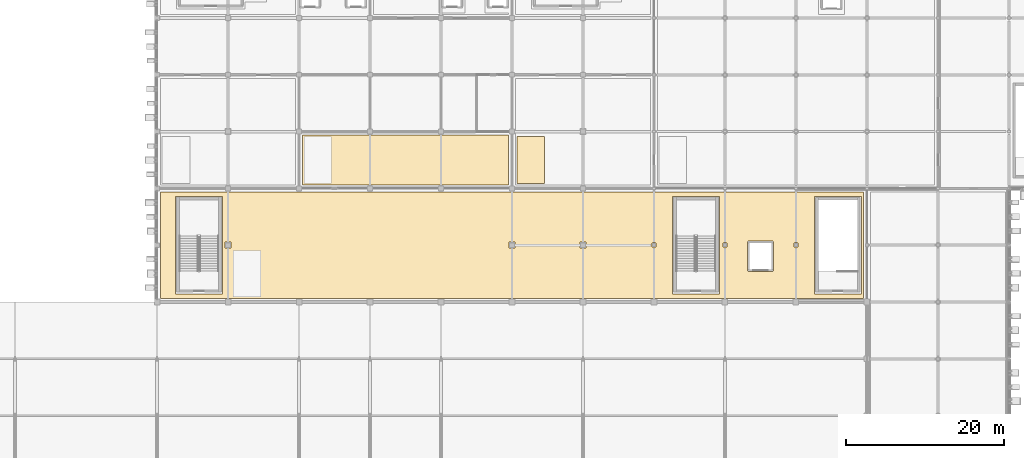
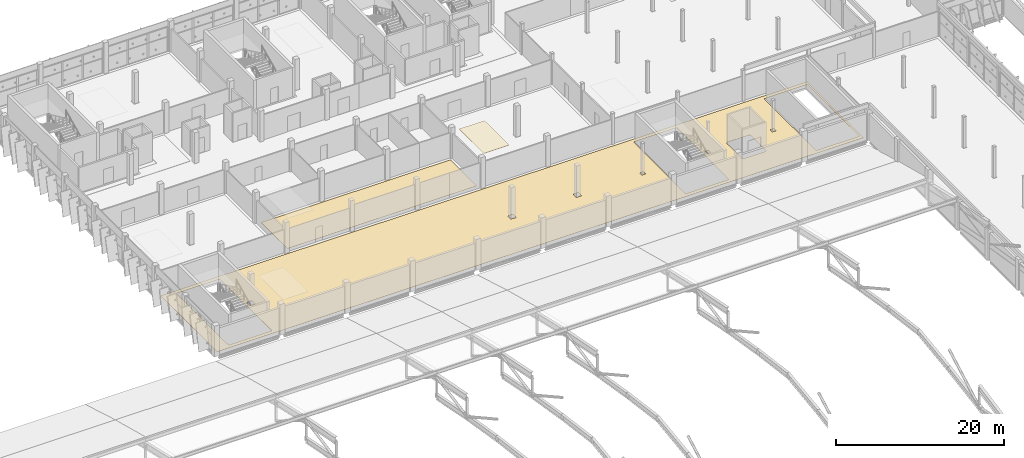
# One storey, part 115 of 124: 3 coverings.
"""IFC4 building model written with IfcOpenShell, lengths in metres."""

from ifc_helpers import new_model, si_unit, direction, frame, origin, place, context, subcontext, project, spatial, polyline, outline, extrude, material, layer, layer_set, type_object, element, save


model = new_model("IFC4")

# Units and contexts
model_context = context("Model", 3, precision=1e-05, world=origin(), true_north=direction((0.0, 1.0)))
body_context = subcontext(model_context, "Body", "Model", "MODEL_VIEW")
ifc_project = project(units=[si_unit("LENGTHUNIT", "METRE"), si_unit("AREAUNIT", "SQUARE_METRE"), si_unit("VOLUMEUNIT", "CUBIC_METRE"), si_unit("PLANEANGLEUNIT", "RADIAN"), si_unit("MASSUNIT", "GRAM", prefix="KILO")], contexts=[model_context])

# Site, building, storey
site_placement = place(None, origin())
site = spatial("IfcSite", under=ifc_project, at=site_placement, CompositionType="ELEMENT")
building_placement = place(site_placement, origin())
building = spatial("IfcBuilding", under=site, at=building_placement, Name="Celestram Park Convention Centre", CompositionType="ELEMENT")
storey_placement = place(building_placement, frame((0.0, 0.0, 15.300048828125)))
storey = spatial("IfcBuildingStorey", under=building, at=storey_placement, Name="L03", CompositionType="ELEMENT", Elevation=15.300048828125)

# Coverings
ifc_material_1 = material(Name="Perforated Acoustic Mineral-Fibre Baffle Ceiling", Category="gypsum")
ifc_layer_1 = layer(ifc_material_1, 0.0400390625)
ifc_layer_set_1 = layer_set([ifc_layer_1], Name="Perforated Acoustic Mineral-Fibre Baffle Ceiling")
covering_type_1 = type_object("IfcCoveringType", Name="ARC-COV-CLG040", PredefinedType="CEILING", material=ifc_layer_set_1)
covering_1_placement = place(storey_placement, frame((0.0, 0.0, 4.2099609375)))
element("IfcCovering", 1, at=covering_1_placement, inside=storey, type_object=covering_type_1, Name="Caucus Chamber 302 acoustic baffle ceiling", PredefinedType="CEILING", context=body_context, shape_type="SweptSolid", body=[
    extrude(outline(polyline([(81.64990234375, 123.050048828125), (85.14990234375, 123.050048828125), (85.14990234375, 128.949951171875), (81.64990234375, 128.949951171875), (81.64990234375, 123.050048828125)])), origin(), (0.0, 0.0, 1.0), 0.0400390625),
])
ifc_material_2 = material(Name="Polished Lakefront Aggregate Terrazzo Flooring", Category="concrete")
ifc_layer_2 = layer(ifc_material_2, 0.02001953125)
ifc_layer_set_2 = layer_set([ifc_layer_2], Name="Polished Lakefront Aggregate Terrazzo Flooring")
covering_type_2 = type_object("IfcCoveringType", Name="ARC-COV-FLR020", PredefinedType="FLOORING", material=ifc_layer_set_2)
covering_2_placement = place(storey_placement, origin())
element("IfcCovering", 2, at=covering_2_placement, inside=storey, type_object=covering_type_2, Name="Terrace Overlook Concourse L03 terrazzo flooring", PredefinedType="FLOORING", context=body_context, shape_type="SweptSolid", body=[
    extrude(outline(polyline([(125.550048828125, 121.949951171875), (125.550048828125, 108.449951171875), (36.449951171875, 108.449951171875), (36.449951171875, 121.949951171875), (125.550048828125, 121.949951171875)]), holes=[polyline([(114.141357421875, 115.608154296875), (114.134765625, 115.62646484375), (114.12646484375, 115.644287109375), (114.1162109375, 115.6611328125), (114.1044921875, 115.677001953125), (114.09130859375, 115.69140625), (114.076904296875, 115.70458984375), (114.06103515625, 115.71630859375), (114.044189453125, 115.726318359375), (114.026611328125, 115.73486328125), (114.008056640625, 115.741455078125), (113.989013671875, 115.74609375), (113.969482421875, 115.7490234375), (113.949951171875, 115.75), (111.050048828125, 115.75), (111.030517578125, 115.7490234375), (111.010986328125, 115.74609375), (110.991943359375, 115.741455078125), (110.973388671875, 115.73486328125), (110.955810546875, 115.726318359375), (110.93896484375, 115.71630859375), (110.923095703125, 115.70458984375), (110.90869140625, 115.69140625), (110.8955078125, 115.677001953125), (110.8837890625, 115.6611328125), (110.87353515625, 115.644287109375), (110.865234375, 115.62646484375), (110.858642578125, 115.608154296875), (110.853759765625, 115.589111328125), (110.85107421875, 115.569580078125), (110.85009765625, 115.550048828125), (110.85009765625, 112.050048828125), (110.85107421875, 112.030517578125), (110.853759765625, 112.010986328125), (110.858642578125, 111.991943359375), (110.865234375, 111.973388671875), (110.87353515625, 111.955810546875), (110.8837890625, 111.93896484375), (110.8955078125, 111.923095703125), (110.90869140625, 111.90869140625), (110.923095703125, 111.8955078125), (110.93896484375, 111.8837890625), (110.955810546875, 111.87353515625), (110.973388671875, 111.865234375), (110.991943359375, 111.858642578125), (111.010986328125, 111.853759765625), (111.030517578125, 111.85107421875), (111.050048828125, 111.85009765625), (113.949951171875, 111.85009765625), (113.969482421875, 111.85107421875), (113.989013671875, 111.853759765625), (114.008056640625, 111.858642578125), (114.026611328125, 111.865234375), (114.044189453125, 111.87353515625), (114.06103515625, 111.8837890625), (114.076904296875, 111.8955078125), (114.09130859375, 111.90869140625), (114.1044921875, 111.923095703125), (114.1162109375, 111.93896484375), (114.12646484375, 111.955810546875), (114.134765625, 111.973388671875), (114.141357421875, 111.991943359375), (114.146240234375, 112.010986328125), (114.14892578125, 112.030517578125), (114.14990234375, 112.050048828125), (114.14990234375, 115.550048828125), (114.14892578125, 115.569580078125), (114.146240234375, 115.589111328125), (114.141357421875, 115.608154296875)]), polyline([(38.340087890625, 121.39990234375), (38.340087890625, 109.0), (44.300048828125, 109.0), (44.300048828125, 121.39990234375), (38.340087890625, 121.39990234375)]), polyline([(107.300048828125, 121.39990234375), (101.340087890625, 121.39990234375), (101.340087890625, 109.0), (107.300048828125, 109.0), (107.300048828125, 121.39990234375)]), polyline([(125.300048828125, 121.39990234375), (119.340087890625, 121.39990234375), (119.340087890625, 109.0), (125.300048828125, 109.0), (125.300048828125, 121.39990234375)]), polyline([(44.6220703125, 115.577880859375), (44.6220703125, 114.822021484375), (45.3779296875, 114.822021484375), (45.3779296875, 115.577880859375), (44.6220703125, 115.577880859375)]), polyline([(98.7470703125, 115.452880859375), (98.7470703125, 114.947021484375), (99.2529296875, 114.947021484375), (99.2529296875, 115.452880859375), (98.7470703125, 115.452880859375)]), polyline([(81.3779296875, 115.577880859375), (80.6220703125, 115.577880859375), (80.6220703125, 114.822021484375), (81.3779296875, 114.822021484375), (81.3779296875, 115.577880859375)]), polyline([(90.3779296875, 115.577880859375), (89.6220703125, 115.577880859375), (89.6220703125, 114.822021484375), (90.3779296875, 114.822021484375), (90.3779296875, 115.577880859375)]), polyline([(117.2529296875, 115.452880859375), (116.7470703125, 115.452880859375), (116.7470703125, 114.947021484375), (117.2529296875, 114.947021484375), (117.2529296875, 115.452880859375)]), polyline([(108.2529296875, 115.452880859375), (107.7470703125, 115.452880859375), (107.7470703125, 114.947021484375), (108.2529296875, 114.947021484375), (108.2529296875, 115.452880859375)])]), origin(), (0.0, 0.0, 1.0), 0.02001953125),
])
covering_3_placement = place(storey_placement, origin())
element("IfcCovering", 3, at=covering_3_placement, inside=storey, type_object=covering_type_2, Name="Concourse Delegate Lounge L03 terrazzo flooring", PredefinedType="FLOORING", context=body_context, shape_type="SweptSolid", body=[
    extrude(outline(polyline([(80.550048828125, 129.14990234375), (80.550048828125, 122.85009765625), (54.449951171875, 122.85009765625), (54.449951171875, 129.14990234375), (80.550048828125, 129.14990234375)])), origin(), (0.0, 0.0, 1.0), 0.02001953125),
])

save(model, "model.ifc")
